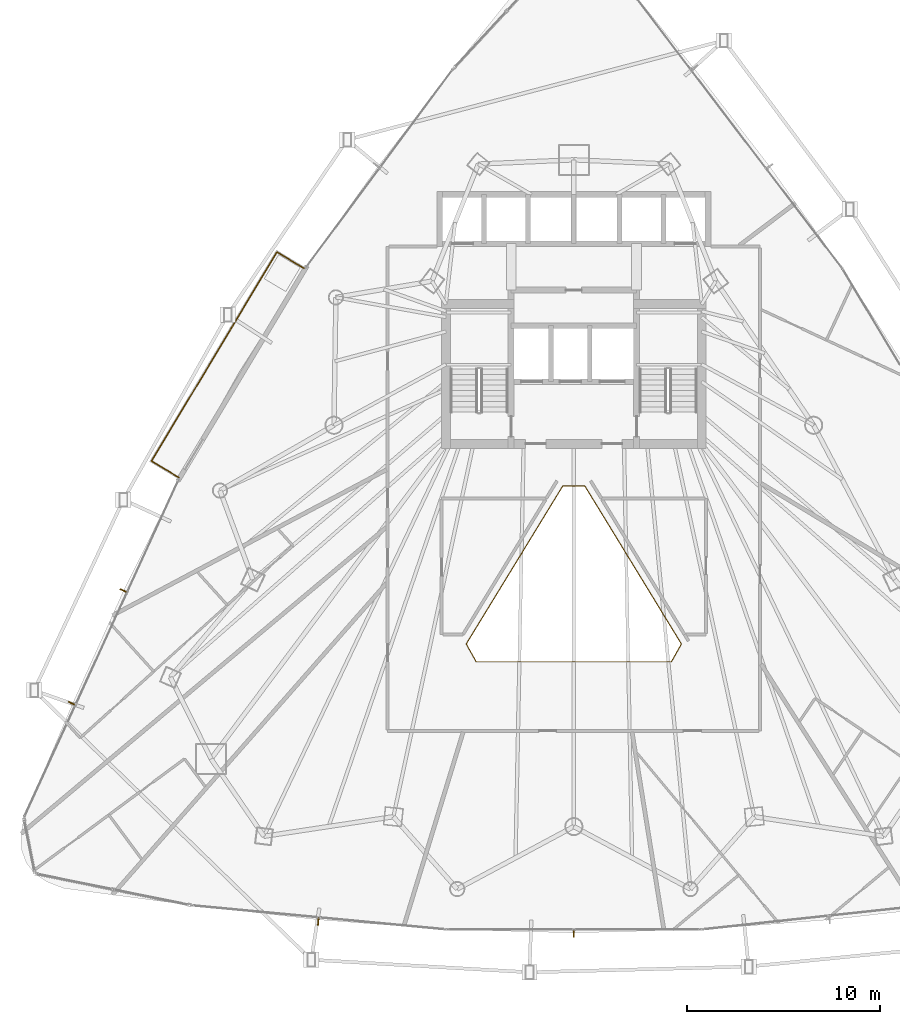
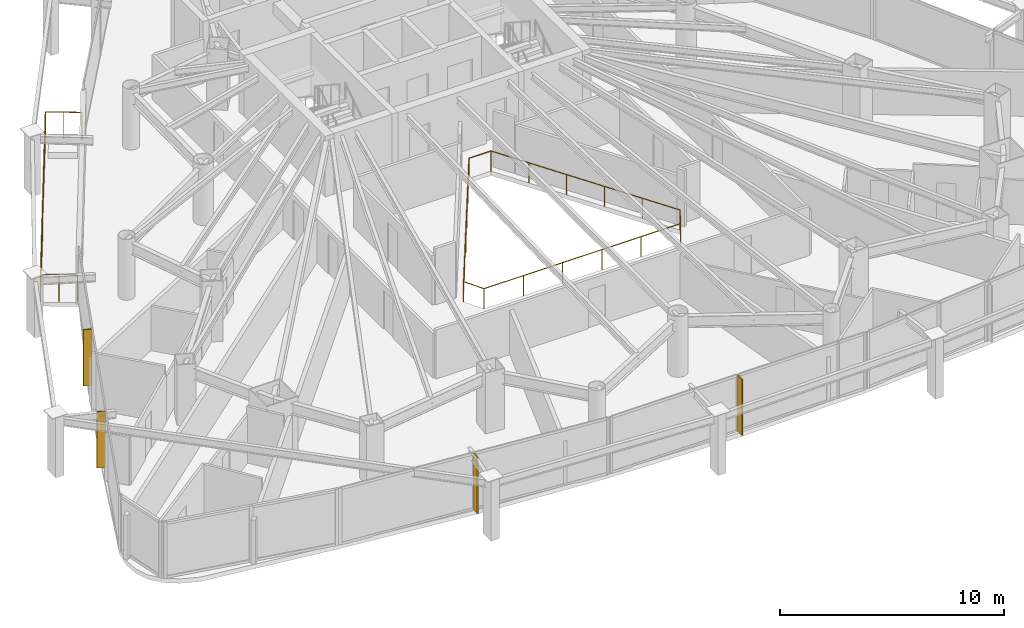
# One storey, part 35 of 38: 4 shading devices, 2 railings.
"""IFC4 building model written with IfcOpenShell, lengths in metres."""

from ifc_helpers import new_model, si_unit, direction, frame, origin, origin_2d, place, context, subcontext, project, spatial, rectangle, circle, extrude, material, layer, layer_set, type_object, element, save


model = new_model("IFC4")

# Units and contexts
model_context = context("Model", 3, precision=1e-05, world=origin(), true_north=direction((0.0, 1.0)))
body_context = subcontext(model_context, "Body", "Model", "MODEL_VIEW")
ifc_project = project(units=[si_unit("LENGTHUNIT", "METRE"), si_unit("AREAUNIT", "SQUARE_METRE"), si_unit("VOLUMEUNIT", "CUBIC_METRE"), si_unit("PLANEANGLEUNIT", "RADIAN"), si_unit("MASSUNIT", "GRAM", prefix="KILO")], contexts=[model_context])

# Site, building, storey
site_placement = place(None, origin())
site = spatial("IfcSite", under=ifc_project, at=site_placement, CompositionType="ELEMENT")
building_placement = place(site_placement, origin())
building = spatial("IfcBuilding", under=site, at=building_placement, Name="Orvanel Arch Residences", CompositionType="ELEMENT")
storey_placement = place(building_placement, frame((0.0, 0.0, 50.0)))
storey = spatial("IfcBuildingStorey", under=building, at=storey_placement, Name="L13", CompositionType="ELEMENT", Elevation=50.0)

# Shading devices
ifc_material = material(Name="Bronze-anodised aluminium AA6063-T6", Category="aluminium")
ifc_layer = layer(ifc_material, 0.06005859375)
ifc_layer_set = layer_set([ifc_layer], Name="Bronze-anodised aluminium AA6063-T6")
shading_device_type = type_object("IfcShadingDeviceType", Name="FIN-BRZ-380", PredefinedType="USERDEFINED", material=ifc_layer_set)
for number, where, z_axis, x_axis, name in (
    (1, (9.652099609375, 19.073974609375, 0.0), (0.0, 0.0, 1.0), (-0.909236109047, 0.41628079226, 0.0), "L13 Anodised Bronze Mullion FIN 01"),
    (2, (6.97802734375, 13.23388671875, 0.0), (0.0, 0.0, 1.0), (-0.909236109047, 0.41628079226, 0.0), "L13 Anodised Bronze Mullion FIN 02"),
    (3, (19.757080078125, 1.91796875, 0.0), (0.0, 0.0, 1.0), (-0.094108313319, -0.995561964603, 0.0), "L13 Anodised Bronze Mullion FIN 01"),
    (4, (33.0, 1.291015625, 0.0), (0.0, 0.0, 1.0), (0.0, -1.0, 0.0), "L13 Anodised Bronze Mullion FIN 01"),
):
    element("IfcShadingDevice", number, at=place(storey_placement, frame(where, z_axis=z_axis, x_axis=x_axis)), inside=storey, type_object=shading_device_type, Name=name, ObjectType="FIN", PredefinedType="USERDEFINED", context=body_context, shape_type="SweptSolid", body=[
        extrude(rectangle(XDim=0.3798828125, YDim=0.06005859375, at=origin_2d()), origin(), (0.0, 0.0, 1.0), 3.06005859375),
    ])

# Railings
railing_type_1 = type_object("IfcRailingType", Name="RL-ATR-1120", PredefinedType="BALUSTRADE", material=ifc_material)
railing_1_placement = place(storey_placement, frame((33.56494140625, 24.5009765625, 0.0)))
element("IfcRailing", 5, at=railing_1_placement, inside=storey, type_object=railing_type_1, Name="L13 Atrium Void Protective Balustrade", PredefinedType="BALUSTRADE", context=body_context, shape_type="SweptSolid", body=[
    extrude(circle(Radius=0.02392578125, at=origin_2d()), frame((-0.00146484375, 0.0, 1.09619140625), z_axis=(-1.0, 0.0, 0.0), x_axis=(0.0, -1.0, 0.0)), (0.0, 0.0, 1.0), 1.126953125),
    extrude(circle(Radius=0.02392578125, at=origin_2d()), frame((-1.130615234375, -0.001220703125, 1.09619140625), z_axis=(-0.521548736033, -0.853221492897, 0.0), x_axis=(0.853221492897, -0.521548736033, 0.0)), (0.0, 0.0, 1.0), 9.599365234375),
    extrude(circle(Radius=0.02392578125, at=origin_2d()), frame((-6.13720703125, -8.194091796875, 1.09619140625), z_axis=(0.489024361599, -0.872270126602, 0.0), x_axis=(0.872270126602, 0.489024361599, 0.0)), (0.0, 0.0, 1.0), 1.056396484375),
    extrude(circle(Radius=0.02392578125, at=origin_2d()), frame((-5.618408203125, -9.116943359375, 1.09619140625), z_axis=(1.0, 0.0, 0.0), x_axis=(0.0, 1.0, 0.0)), (0.0, 0.0, 1.0), 10.10693359375),
    extrude(circle(Radius=0.02392578125, at=origin_2d()), frame((4.49072265625, -9.11572265625, 1.09619140625), z_axis=(0.489024361599, 0.872270126602, 0.0), x_axis=(-0.872270126602, 0.489024361599, 0.0)), (0.0, 0.0, 1.0), 1.056396484375),
    extrude(circle(Radius=0.02392578125, at=origin_2d()), frame((5.00732421875, -8.191650390625, 1.09619140625), z_axis=(-0.521548736033, 0.853221492897, 0.0), x_axis=(-0.853221492897, -0.521548736033, 0.0)), (0.0, 0.0, 1.0), 9.599365234375),
    extrude(circle(Radius=0.02099609375, at=origin_2d()), origin(), (0.0, 0.0, 1.0), 1.070068359375),
    extrude(circle(Radius=0.02099609375, at=origin_2d()), frame((-1.1298828125, 0.0, 0.0)), (0.0, 0.0, 1.0), 1.070068359375),
    extrude(circle(Radius=0.02099609375, at=origin_2d()), frame((-2.131591796875, -1.638671875, 0.0)), (0.0, 0.0, 1.0), 1.070068359375),
    extrude(circle(Radius=0.02099609375, at=origin_2d()), frame((-3.133056640625, -3.277099609375, 0.0)), (0.0, 0.0, 1.0), 1.070068359375),
    extrude(circle(Radius=0.02099609375, at=origin_2d()), frame((-4.134765625, -4.915771484375, 0.0)), (0.0, 0.0, 1.0), 1.070068359375),
    extrude(circle(Radius=0.02099609375, at=origin_2d()), frame((-5.13623046875, -6.55419921875, 0.0)), (0.0, 0.0, 1.0), 1.070068359375),
    extrude(circle(Radius=0.02099609375, at=origin_2d()), frame((-6.137939453125, -8.19287109375, 0.0)), (0.0, 0.0, 1.0), 1.070068359375),
    extrude(circle(Radius=0.02099609375, at=origin_2d()), frame((-5.619873046875, -9.116943359375, 0.0)), (0.0, 0.0, 1.0), 1.070068359375),
    extrude(circle(Radius=0.02099609375, at=origin_2d()), frame((-3.597900390625, -9.116943359375, 0.0)), (0.0, 0.0, 1.0), 1.070068359375),
    extrude(circle(Radius=0.02099609375, at=origin_2d()), frame((-1.575927734375, -9.116943359375, 0.0)), (0.0, 0.0, 1.0), 1.070068359375),
    extrude(circle(Radius=0.02099609375, at=origin_2d()), frame((0.446044921875, -9.116943359375, 0.0)), (0.0, 0.0, 1.0), 1.070068359375),
    extrude(circle(Radius=0.02099609375, at=origin_2d()), frame((2.468017578125, -9.116943359375, 0.0)), (0.0, 0.0, 1.0), 1.070068359375),
    extrude(circle(Radius=0.02099609375, at=origin_2d()), frame((4.489990234375, -9.116943359375, 0.0)), (0.0, 0.0, 1.0), 1.070068359375),
    extrude(circle(Radius=0.02099609375, at=origin_2d()), frame((5.008056640625, -8.19287109375, 0.0)), (0.0, 0.0, 1.0), 1.070068359375),
    extrude(circle(Radius=0.02099609375, at=origin_2d()), frame((4.00634765625, -6.55419921875, 0.0)), (0.0, 0.0, 1.0), 1.070068359375),
    extrude(circle(Radius=0.02099609375, at=origin_2d()), frame((3.0048828125, -4.915771484375, 0.0)), (0.0, 0.0, 1.0), 1.070068359375),
    extrude(circle(Radius=0.02099609375, at=origin_2d()), frame((2.003173828125, -3.277099609375, 0.0)), (0.0, 0.0, 1.0), 1.070068359375),
    extrude(circle(Radius=0.02099609375, at=origin_2d()), frame((1.001708984375, -1.638671875, 0.0)), (0.0, 0.0, 1.0), 1.070068359375),
])
railing_type_2 = type_object("IfcRailingType", Name="RL-BAL-1480", PredefinedType="BALUSTRADE", material=ifc_material)
railing_2_placement = place(storey_placement, frame((19.01904296875, 35.77392578125, 0.0)))
element("IfcRailing", 6, at=railing_2_placement, inside=storey, type_object=railing_type_2, Name="L13 Balcony Perimeter Guardrail Face 1", PredefinedType="BALUSTRADE", context=body_context, shape_type="SweptSolid", body=[
    extrude(circle(Radius=0.02392578125, at=origin_2d()), frame((-0.001220703125, 0.000732421875, 1.4560546875), z_axis=(-0.857387817543, 0.514670895164, 0.0), x_axis=(-0.514670895164, -0.857387817543, 0.0)), (0.0, 0.0, 1.0), 1.636962890625),
    extrude(circle(Radius=0.02392578125, at=origin_2d()), frame((-1.40673828125, 0.8427734375, 1.4560546875), z_axis=(-0.51435933579, -0.857574762738, 0.0), x_axis=(0.857574762738, -0.51435933579, 0.0)), (0.0, 0.0, 1.0), 12.63037109375),
    extrude(circle(Radius=0.02392578125, at=origin_2d()), frame((-7.90283203125, -9.99072265625, 1.4560546875), z_axis=(0.857545439568, -0.514408222208, 0.0), x_axis=(0.514408222208, 0.857545439568, 0.0)), (0.0, 0.0, 1.0), 1.6376953125),
    extrude(circle(Radius=0.02099609375, at=origin_2d()), origin(), (0.0, 0.0, 1.0), 1.429931640625),
    extrude(circle(Radius=0.02099609375, at=origin_2d()), frame((-0.703125, 0.421875, 0.0)), (0.0, 0.0, 1.0), 1.429931640625),
    extrude(circle(Radius=0.02099609375, at=origin_2d()), frame((-1.406005859375, 0.843994140625, 0.0)), (0.0, 0.0, 1.0), 1.429931640625),
    extrude(circle(Radius=0.02099609375, at=origin_2d()), frame((-1.996826171875, -0.140869140625, 0.0)), (0.0, 0.0, 1.0), 1.429931640625),
    extrude(circle(Radius=0.02099609375, at=origin_2d()), frame((-2.58740234375, -1.125732421875, 0.0)), (0.0, 0.0, 1.0), 1.429931640625),
    extrude(circle(Radius=0.02099609375, at=origin_2d()), frame((-3.17822265625, -2.11083984375, 0.0)), (0.0, 0.0, 1.0), 1.429931640625),
    extrude(circle(Radius=0.02099609375, at=origin_2d()), frame((-3.76904296875, -3.095703125, 0.0)), (0.0, 0.0, 1.0), 1.429931640625),
    extrude(circle(Radius=0.02099609375, at=origin_2d()), frame((-4.359619140625, -4.08056640625, 0.0)), (0.0, 0.0, 1.0), 1.429931640625),
    extrude(circle(Radius=0.02099609375, at=origin_2d()), frame((-4.950439453125, -5.0654296875, 0.0)), (0.0, 0.0, 1.0), 1.429931640625),
    extrude(circle(Radius=0.02099609375, at=origin_2d()), frame((-5.541015625, -6.05029296875, 0.0)), (0.0, 0.0, 1.0), 1.429931640625),
    extrude(circle(Radius=0.02099609375, at=origin_2d()), frame((-6.1318359375, -7.03515625, 0.0)), (0.0, 0.0, 1.0), 1.429931640625),
    extrude(circle(Radius=0.02099609375, at=origin_2d()), frame((-6.72265625, -8.020263671875, 0.0)), (0.0, 0.0, 1.0), 1.429931640625),
    extrude(circle(Radius=0.02099609375, at=origin_2d()), frame((-7.313232421875, -9.005126953125, 0.0)), (0.0, 0.0, 1.0), 1.429931640625),
    extrude(circle(Radius=0.02099609375, at=origin_2d()), frame((-7.904052734375, -9.989990234375, 0.0)), (0.0, 0.0, 1.0), 1.429931640625),
    extrude(circle(Radius=0.02099609375, at=origin_2d()), frame((-7.20068359375, -10.412109375, 0.0)), (0.0, 0.0, 1.0), 1.429931640625),
    extrude(circle(Radius=0.02099609375, at=origin_2d()), frame((-6.4970703125, -10.833984375, 0.0)), (0.0, 0.0, 1.0), 1.429931640625),
])

save(model, "model.ifc")
